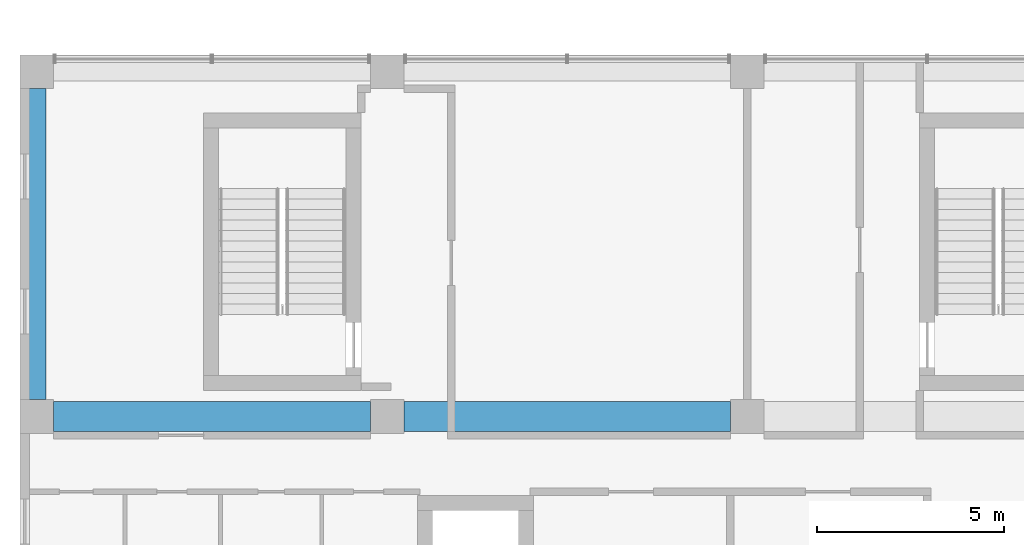
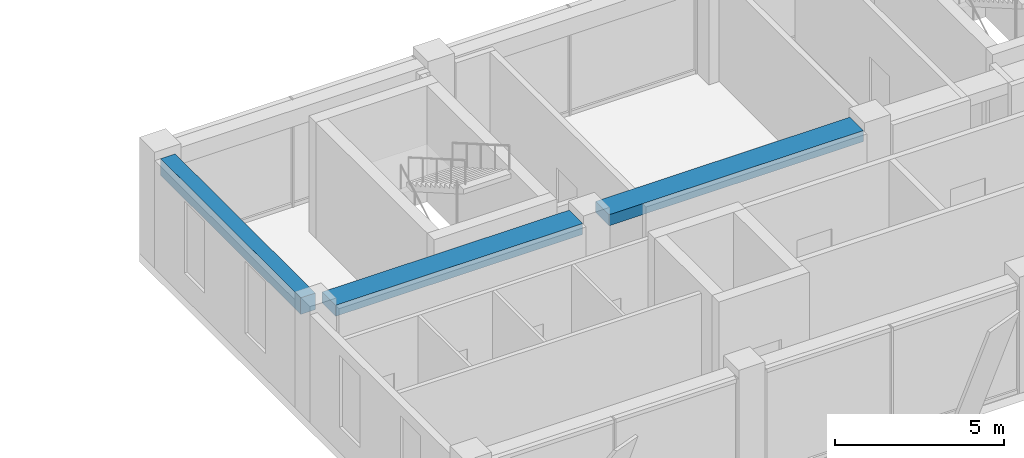
# One storey, part 20 of 36: 3 beams.
"""IFC4 building model written with IfcOpenShell, lengths in metres."""

from ifc_helpers import new_model, si_unit, direction, frame, origin, origin_2d, place, context, subcontext, project, spatial, rectangle, extrude, material, material_profile, profile_set, type_object, element, save


model = new_model("IFC4")

# Units and contexts
model_context = context("Model", 3, precision=1e-05, world=origin(), true_north=direction((0.0, 1.0)))
body_context = subcontext(model_context, "Body", "Model", "MODEL_VIEW")
ifc_project = project(units=[si_unit("LENGTHUNIT", "METRE"), si_unit("AREAUNIT", "SQUARE_METRE"), si_unit("VOLUMEUNIT", "CUBIC_METRE"), si_unit("PLANEANGLEUNIT", "RADIAN"), si_unit("MASSUNIT", "GRAM", prefix="KILO")], contexts=[model_context])

# Site, building, storey
site_placement = place(None, origin())
site = spatial("IfcSite", under=ifc_project, at=site_placement, CompositionType="ELEMENT")
building_placement = place(site_placement, origin())
building = spatial("IfcBuilding", under=site, at=building_placement, Name="Nzadi Deep Aquarium and Research Tower", CompositionType="ELEMENT")
storey_placement = place(building_placement, frame((0.0, 0.0, 36.10009765625)))
storey = spatial("IfcBuildingStorey", under=building, at=storey_placement, Name="L06", CompositionType="ELEMENT", Elevation=36.10009765625)

# Beams
ifc_material_1 = material(Name="Concrete C35/45", Category="concrete")
ifc_material_profile_1 = material_profile(ifc_material_1, rectangle(XDim=0.5, YDim=0.60009765625, at=origin_2d()))
ifc_profile_set_1 = profile_set([ifc_material_profile_1], Name="Concrete C35/45")
beam_type_1 = type_object("IfcBeamType", Name="RC 500x600", PredefinedType="BEAM", material=ifc_profile_set_1)
beam_1_placement = place(storey_placement, frame((0.25, 37.25, 3.599853515625), z_axis=(0.0, 1.0, 0.0), x_axis=(-1.0, 0.0, 0.0)))
element("IfcBeam", 1, at=beam_1_placement, inside=storey, type_object=beam_type_1, Name="B-Z1-L06-CA-2-4", PredefinedType="BEAM", context=body_context, shape_type="SweptSolid", body=[
    extrude(rectangle(XDim=0.5, YDim=0.60009765625, at=origin_2d()), origin(), (0.0, 0.0, 1.0), 8.300048828125),
])
ifc_material_2 = material(Name="Concrete C35/45", Category="concrete")
ifc_material_profile_2 = material_profile(ifc_material_2, rectangle(XDim=0.800048828125, YDim=0.39990234375, at=origin_2d()))
ifc_profile_set_2 = profile_set([ifc_material_profile_2], Name="Concrete C35/45")
beam_type_2 = type_object("IfcBeamType", Name="RC 800x400", PredefinedType="BEAM", material=ifc_profile_set_2)
beam_2_placement = place(storey_placement, frame((0.699951171875, 36.800048828125, 3.699951171875), z_axis=(1.0, 0.0, 0.0), x_axis=(0.0, 1.0, 0.0)))
element("IfcBeam", 2, at=beam_2_placement, inside=storey, type_object=beam_type_2, Name="B-Z1-L06-L5-1", PredefinedType="BEAM", context=body_context, shape_type="SweptSolid", body=[
    extrude(rectangle(XDim=0.800048828125, YDim=0.39990234375, at=origin_2d()), origin(), (0.0, 0.0, 1.0), 8.449951171875),
])
beam_3_placement = place(storey_placement, frame((10.050048828125, 36.800048828125, 3.699951171875), z_axis=(1.0, 0.0, 0.0), x_axis=(0.0, 1.0, 0.0)))
element("IfcBeam", 3, at=beam_3_placement, inside=storey, type_object=beam_type_2, Name="B-Z1-L06-L5-2", PredefinedType="BEAM", context=body_context, shape_type="SweptSolid", body=[
    extrude(rectangle(XDim=0.800048828125, YDim=0.39990234375, at=origin_2d()), origin(), (0.0, 0.0, 1.0), 8.699951171875),
])

save(model, "model.ifc")
